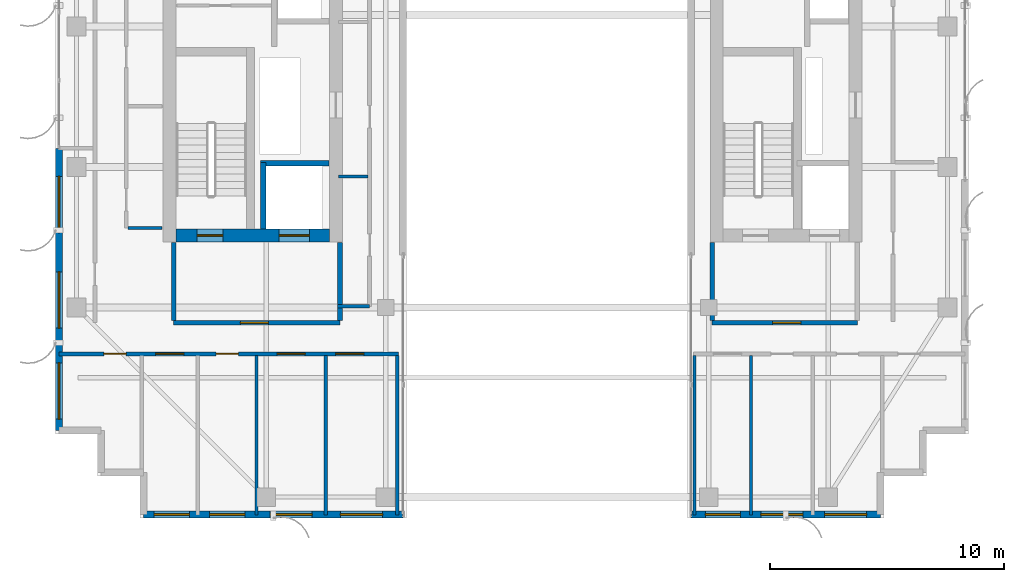
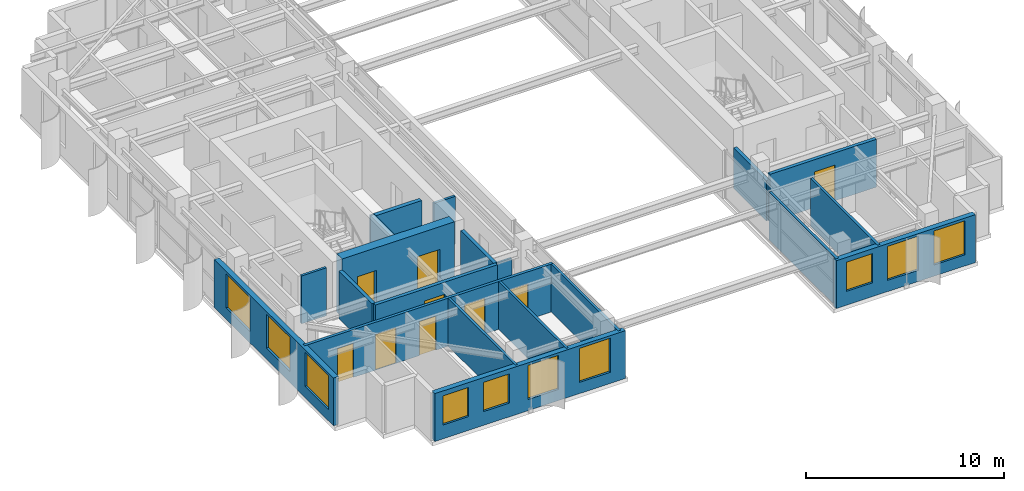
# One storey, part 19 of 25: 20 walls, 10 windows, 9 doors, 19 openings.
"""IFC4 building model written with IfcOpenShell, lengths in metres."""

from ifc_helpers import new_model, si_unit, direction, frame, frame_2d, origin, place, context, subcontext, project, spatial, rectangle, extrude, source, transform, mapped, material, layer, layer_set, type_object, element, fill, save


model = new_model("IFC4")

# Units and contexts
model_context = context("Model", 3, precision=1e-05, world=origin(), true_north=direction((0.0, 1.0)))
body_context = subcontext(model_context, "Body", "Model", "MODEL_VIEW")
ifc_project = project(units=[si_unit("LENGTHUNIT", "METRE"), si_unit("AREAUNIT", "SQUARE_METRE"), si_unit("VOLUMEUNIT", "CUBIC_METRE"), si_unit("PLANEANGLEUNIT", "RADIAN"), si_unit("MASSUNIT", "GRAM", prefix="KILO")], contexts=[model_context])

# Site, building, storey
site_placement = place(None, origin())
site = spatial("IfcSite", under=ifc_project, at=site_placement, CompositionType="ELEMENT")
building_placement = place(site_placement, origin())
building = spatial("IfcBuilding", under=site, at=building_placement, Name="Khoralis Quay Care Tower", CompositionType="ELEMENT")
storey_placement = place(building_placement, frame((0.0, 0.0, 263.699951171875)))
storey = spatial("IfcBuildingStorey", under=building, at=storey_placement, Name="L69", CompositionType="ELEMENT", Elevation=263.699951171875)

# Wall, opening, door
ifc_material_1 = material(Name="Gypsum plasterboard on acoustic metal stud")
ifc_layer_1 = layer(ifc_material_1, 0.199951171875)
ifc_layer_set_1 = layer_set([ifc_layer_1], Name="Gypsum plasterboard on acoustic metal stud")
wall_type_1 = type_object("IfcWallType", Name="WL-COMP-200", PredefinedType="PARTITIONING", material=ifc_layer_set_1)
wall_1_placement = place(storey_placement, frame((8.050048828125, 11.35009765625, 0.0), z_axis=(0.0, 0.0, 1.0), x_axis=(1.0, 0.0, 0.0)))
wall_1 = element("IfcWall", 1, at=wall_1_placement, inside=storey, type_object=wall_type_1, Name="L69 West Firefighting Lobby South Wall", PredefinedType="PARTITIONING", context=body_context, shape_type="SweptSolid", body=[
    extrude(rectangle(XDim=7.099853515625, YDim=0.199951171875, at=frame_2d((3.5498046875, 0.0))), origin(), (0.0, 0.0, 1.0), 2.949951171875),
])
opening_1_placement = place(wall_1_placement, frame((2.846435546875, 0.0, 0.0)))
opening_1 = element("IfcOpeningElement", 2, at=opening_1_placement, cuts=wall_1, Name="Opening FD1", PredefinedType="OPENING", context=body_context, shape_type="SweptSolid", body=[
    extrude(rectangle(XDim=1.199951171875, YDim=2.199951171875, at=frame_2d((0.60009765625, 1.10009765625))), frame((0.0, 0.10986328125, 0.0), z_axis=(0.0, -1.0, 0.0), x_axis=(1.0, 0.0, 0.0)), (0.0, 0.0, 1.0), 0.219970703125),
])
ifc_material_2 = material(Name="Fire-rated painted steel", Category="steel")
door_type_1 = type_object("IfcDoorType", Name="DR-FFL-1200X2200", OperationType="NOTDEFINED", PredefinedType="DOOR", material=ifc_material_2)
shared_shape_1 = source(origin(), body_context, "Body", "SweptSolid", [
    extrude(rectangle(XDim=1.199951171875, YDim=2.199951171875, at=frame_2d((0.60009765625, 1.10009765625))), frame((0.0, 0.02490234375, 0.0), z_axis=(0.0, -1.0, 0.0), x_axis=(1.0, 0.0, 0.0)), (0.0, 0.0, 1.0), 0.050048828125),
])
door_1_placement = place(opening_1_placement, origin())
door_1 = element("IfcDoor", 3, at=door_1_placement, inside=storey, type_object=door_type_1, Name="L69 West Firefighting Lobby Fire Door", OperationType="SINGLE_SWING_LEFT", OverallHeight=2.199951171875, OverallWidth=1.199951171875, PredefinedType="DOOR", context=body_context, shape_type="MappedRepresentation", body=[
    mapped(shared_shape_1, transform((0.0, 0.0, 0.0), scale=1.0)),
])
fill(opening_1, door_1)

# Walls
for number, where, z_axis, x_axis, name in (
    (4, (8.050048828125, 11.445068359375, 0.0), (0.0, 0.0, 1.0), (0.0, 1.0, 0.0), "L69 West Firefighting Lobby West Wall"),
    (5, (15.14990234375, 11.445068359375, 0.0), (0.0, 0.0, 1.0), (0.0, 1.0, 0.0), "L69 West Firefighting Lobby East Wall"),
):
    element("IfcWall", number, at=place(storey_placement, frame(where, z_axis=z_axis, x_axis=x_axis)), inside=storey, type_object=wall_type_1, Name=name, PredefinedType="PARTITIONING", context=body_context, shape_type="SweptSolid", body=[
        extrude(rectangle(XDim=3.3349609375, YDim=0.199951171875, at=frame_2d((1.66748046875, 0.0))), origin(), (0.0, 0.0, 1.0), 2.949951171875),
    ])

# Wall, opening, door
wall_2_placement = place(storey_placement, frame((31.050048828125, 11.35009765625, 0.0), z_axis=(0.0, 0.0, 1.0), x_axis=(1.0, 0.0, 0.0)))
wall_2 = element("IfcWall", 6, at=wall_2_placement, inside=storey, type_object=wall_type_1, Name="L69 East Firefighting Lobby South Wall", PredefinedType="PARTITIONING", context=body_context, shape_type="SweptSolid", body=[
    extrude(rectangle(XDim=6.199951171875, YDim=0.199951171875, at=frame_2d((3.10009765625, 0.0))), origin(), (0.0, 0.0, 1.0), 2.949951171875),
])
opening_2_placement = place(wall_2_placement, frame((2.585693359375, 0.0, 0.0)))
opening_2 = element("IfcOpeningElement", 7, at=opening_2_placement, cuts=wall_2, Name="Opening FD1", PredefinedType="OPENING", context=body_context, shape_type="SweptSolid", body=[
    extrude(rectangle(XDim=1.199951171875, YDim=2.199951171875, at=frame_2d((0.60009765625, 1.10009765625))), frame((0.0, 0.10986328125, 0.0), z_axis=(0.0, -1.0, 0.0), x_axis=(1.0, 0.0, 0.0)), (0.0, 0.0, 1.0), 0.219970703125),
])
door_2_placement = place(opening_2_placement, origin())
door_2 = element("IfcDoor", 8, at=door_2_placement, inside=storey, type_object=door_type_1, Name="L69 East Firefighting Lobby Fire Door", OperationType="SINGLE_SWING_RIGHT", OverallHeight=2.199951171875, OverallWidth=1.199951171875, PredefinedType="DOOR", context=body_context, shape_type="MappedRepresentation", body=[
    mapped(shared_shape_1, transform((0.0, 0.0, 0.0), scale=1.0)),
])
fill(opening_2, door_2)

# Wall
wall_3_placement = place(storey_placement, frame((31.050048828125, 11.445068359375, 0.0), z_axis=(0.0, 0.0, 1.0), x_axis=(0.0, 1.0, 0.0)))
element("IfcWall", 9, at=wall_3_placement, inside=storey, type_object=wall_type_1, Name="L69 East Firefighting Lobby West Wall", PredefinedType="PARTITIONING", context=body_context, shape_type="SweptSolid", body=[
    extrude(rectangle(XDim=3.3349609375, YDim=0.199951171875, at=frame_2d((1.66748046875, 0.0))), origin(), (0.0, 0.0, 1.0), 2.487060546875),
])

# Wall, openings, doors
ifc_material_3 = material(Name="Concrete C65/80", Category="concrete")
ifc_layer_2 = layer(ifc_material_3, 0.550048828125)
ifc_layer_set_2 = layer_set([ifc_layer_2], Name="Concrete C65/80")
wall_type_2 = type_object("IfcWallType", Name="WL-CORE-550", PredefinedType="SHEAR", material=ifc_layer_set_2)
wall_4_placement = place(storey_placement, frame((8.14990234375, 15.074951171875, 0.0), z_axis=(0.0, 0.0, 1.0), x_axis=(1.0, 0.0, 0.0)))
wall_4 = element("IfcWall", 10, at=wall_4_placement, inside=storey, type_object=wall_type_2, Name="L69 WCORE South Shear Wall", PredefinedType="SHEAR", context=body_context, shape_type="SweptSolid", body=[
    extrude(rectangle(XDim=6.550048828125, YDim=0.550048828125, at=frame_2d((3.27490234375, 0.0))), origin(), (0.0, 0.0, 1.0), 3.60009765625),
])
opening_3_placement = place(wall_4_placement, frame((0.89990234375, 0.0, 0.0)))
opening_3 = element("IfcOpeningElement", 11, at=opening_3_placement, cuts=wall_4, Name="Opening SD1", PredefinedType="OPENING", context=body_context, shape_type="SweptSolid", body=[
    extrude(rectangle(XDim=1.10009765625, YDim=2.199951171875, at=frame_2d((0.550048828125, 1.10009765625))), frame((0.0, 0.28515625, 0.0), z_axis=(0.0, -1.0, 0.0), x_axis=(1.0, 0.0, 0.0)), (0.0, 0.0, 1.0), 0.570068359375),
])
opening_4_placement = place(wall_4_placement, frame((4.39990234375, 0.0, 0.0)))
opening_4 = element("IfcOpeningElement", 12, at=opening_4_placement, cuts=wall_4, Name="Opening LD2", PredefinedType="OPENING", context=body_context, shape_type="SweptSolid", body=[
    extrude(rectangle(XDim=1.300048828125, YDim=2.199951171875, at=frame_2d((0.64990234375, 1.10009765625))), frame((0.0, 0.28515625, 0.0), z_axis=(0.0, -1.0, 0.0), x_axis=(1.0, 0.0, 0.0)), (0.0, 0.0, 1.0), 0.570068359375),
])
door_type_2 = type_object("IfcDoorType", Name="DR-STAIR-1100X2200", OperationType="NOTDEFINED", PredefinedType="DOOR", material=ifc_material_2)
shared_shape_2 = source(origin(), body_context, "Body", "SweptSolid", [
    extrude(rectangle(XDim=1.10009765625, YDim=2.199951171875, at=frame_2d((0.550048828125, 1.10009765625))), frame((0.0, 0.02490234375, 0.0), z_axis=(0.0, -1.0, 0.0), x_axis=(1.0, 0.0, 0.0)), (0.0, 0.0, 1.0), 0.050048828125),
])
door_3_placement = place(opening_3_placement, origin())
door_3 = element("IfcDoor", 13, at=door_3_placement, inside=storey, type_object=door_type_2, Name="L69 Stair ST-T1 Fire Door", OperationType="SINGLE_SWING_LEFT", OverallHeight=2.199951171875, OverallWidth=1.10009765625, PredefinedType="DOOR", context=body_context, shape_type="MappedRepresentation", body=[
    mapped(shared_shape_2, transform((0.0, 0.0, 0.0), scale=1.0)),
])
fill(opening_3, door_3)
ifc_material_4 = material(Name="Brushed stainless steel", Category="steel")
door_type_3 = type_object("IfcDoorType", Name="DR-LIFT-1300X2200", OperationType="SLIDING_TO_RIGHT", PredefinedType="DOOR", material=ifc_material_4)
shared_shape_3 = source(origin(), body_context, "Body", "SweptSolid", [
    extrude(rectangle(XDim=1.300048828125, YDim=2.199951171875, at=frame_2d((0.64990234375, 1.10009765625))), frame((0.0, 0.02490234375, 0.0), z_axis=(0.0, -1.0, 0.0), x_axis=(1.0, 0.0, 0.0)), (0.0, 0.0, 1.0), 0.050048828125),
])
door_4_placement = place(opening_4_placement, origin())
door_4 = element("IfcDoor", 14, at=door_4_placement, inside=storey, type_object=door_type_3, Name="L69 Firefighting Lift FFL-1 Landing Door", OperationType="SLIDING_TO_RIGHT", OverallHeight=2.199951171875, OverallWidth=1.300048828125, PredefinedType="DOOR", context=body_context, shape_type="MappedRepresentation", body=[
    mapped(shared_shape_3, transform((0.0, 0.0, 0.0), scale=1.0)),
])
fill(opening_4, door_4)

ifc_layer_3 = layer(ifc_material_1, 0.1650390625)
ifc_layer_set_3 = layer_set([ifc_layer_3], Name="Gypsum plasterboard on acoustic metal stud")
wall_type_3 = type_object("IfcWallType", Name="WL-CORR-165", PredefinedType="PARTITIONING", material=ifc_layer_set_3)
wall_5_placement = place(storey_placement, frame((3.14501953125, 10.02001953125, 0.0), z_axis=(0.0, 0.0, 1.0), x_axis=(1.0, 0.0, 0.0)))
wall_5 = element("IfcWall", 15, at=wall_5_placement, inside=storey, type_object=wall_type_3, Name="L69 West Wing South Corridor Wall", PredefinedType="PARTITIONING", context=body_context, shape_type="SweptSolid", body=[
    extrude(rectangle(XDim=14.5048828125, YDim=0.1650390625, at=frame_2d((7.25244140625, 0.0))), origin(), (0.0, 0.0, 1.0), 2.949951171875),
])
opening_5_placement = place(wall_5_placement, frame((4.135009765625, 0.0, 0.0)))
opening_5 = element("IfcOpeningElement", 16, at=opening_5_placement, cuts=wall_5, Name="Opening FD1", PredefinedType="OPENING", context=body_context, shape_type="SweptSolid", body=[
    extrude(rectangle(XDim=1.199951171875, YDim=2.199951171875, at=frame_2d((0.60009765625, 1.10009765625))), frame((0.0, 0.092529296875, 0.0), z_axis=(0.0, -1.0, 0.0), x_axis=(1.0, 0.0, 0.0)), (0.0, 0.0, 1.0), 0.18505859375),
])
opening_6_placement = place(wall_5_placement, frame((6.715087890625, 0.0, 0.0)))
opening_6 = element("IfcOpeningElement", 17, at=opening_6_placement, cuts=wall_5, Name="Opening ID1", PredefinedType="OPENING", context=body_context, shape_type="SweptSolid", body=[
    extrude(rectangle(XDim=0.949951171875, YDim=2.10009765625, at=frame_2d((0.47509765625, 1.050048828125))), frame((0.0, 0.092529296875, 0.0), z_axis=(0.0, -1.0, 0.0), x_axis=(1.0, 0.0, 0.0)), (0.0, 0.0, 1.0), 0.18505859375),
])
opening_7_placement = place(wall_5_placement, frame((9.320068359375, 0.0, 0.0)))
opening_7 = element("IfcOpeningElement", 18, at=opening_7_placement, cuts=wall_5, Name="Opening FD1", PredefinedType="OPENING", context=body_context, shape_type="SweptSolid", body=[
    extrude(rectangle(XDim=1.199951171875, YDim=2.199951171875, at=frame_2d((0.60009765625, 1.10009765625))), frame((0.0, 0.092529296875, 0.0), z_axis=(0.0, -1.0, 0.0), x_axis=(1.0, 0.0, 0.0)), (0.0, 0.0, 1.0), 0.18505859375),
])
opening_8_placement = place(wall_5_placement, frame((11.824951171875, 0.0, 0.0)))
opening_8 = element("IfcOpeningElement", 19, at=opening_8_placement, cuts=wall_5, Name="Opening FD1", PredefinedType="OPENING", context=body_context, shape_type="SweptSolid", body=[
    extrude(rectangle(XDim=1.199951171875, YDim=2.199951171875, at=frame_2d((0.60009765625, 1.10009765625))), frame((0.0, 0.092529296875, 0.0), z_axis=(0.0, -1.0, 0.0), x_axis=(1.0, 0.0, 0.0)), (0.0, 0.0, 1.0), 0.18505859375),
])
opening_9_placement = place(wall_5_placement, frame((1.919921875, 0.0, 0.0)))
opening_9 = element("IfcOpeningElement", 20, at=opening_9_placement, cuts=wall_5, Name="Opening ID1", PredefinedType="OPENING", context=body_context, shape_type="SweptSolid", body=[
    extrude(rectangle(XDim=0.949951171875, YDim=2.10009765625, at=frame_2d((0.47509765625, 1.050048828125))), frame((0.0, 0.092529296875, 0.0), z_axis=(0.0, -1.0, 0.0), x_axis=(1.0, 0.0, 0.0)), (0.0, 0.0, 1.0), 0.18505859375),
])
door_5_placement = place(opening_5_placement, frame((1.199951171875, 0.0, 0.0), z_axis=(0.0, 0.0, 1.0), x_axis=(-1.0, 0.0, 0.0)))
door_5 = element("IfcDoor", 21, at=door_5_placement, inside=storey, type_object=door_type_1, Name="L69 Senior Wellness Pharmacy Shop Door", OperationType="DOUBLE_DOOR_SINGLE_SWING", OverallHeight=2.199951171875, OverallWidth=1.199951171875, PredefinedType="DOOR", context=body_context, shape_type="MappedRepresentation", body=[
    mapped(shared_shape_1, transform((0.0, 0.0, 0.0), scale=1.0)),
])
fill(opening_5, door_5)
door_6_placement = place(opening_7_placement, frame((1.199951171875, 0.0, 0.0), z_axis=(0.0, 0.0, 1.0), x_axis=(-1.0, 0.0, 0.0)))
door_6 = element("IfcDoor", 22, at=door_6_placement, inside=storey, type_object=door_type_1, Name="L69 Assisted Communal Dining Room Door", OperationType="DOUBLE_DOOR_SINGLE_SWING", OverallHeight=2.199951171875, OverallWidth=1.199951171875, PredefinedType="DOOR", context=body_context, shape_type="MappedRepresentation", body=[
    mapped(shared_shape_1, transform((0.0, 0.0, 0.0), scale=1.0)),
])
fill(opening_7, door_6)
door_7_placement = place(opening_8_placement, frame((1.199951171875, 0.0, 0.0), z_axis=(0.0, 0.0, 1.0), x_axis=(-1.0, 0.0, 0.0)))
door_7 = element("IfcDoor", 23, at=door_7_placement, inside=storey, type_object=door_type_1, Name="L69 Resident Communal Day Lounge Door", OperationType="DOUBLE_DOOR_SINGLE_SWING", OverallHeight=2.199951171875, OverallWidth=1.199951171875, PredefinedType="DOOR", context=body_context, shape_type="MappedRepresentation", body=[
    mapped(shared_shape_1, transform((0.0, 0.0, 0.0), scale=1.0)),
])
fill(opening_8, door_7)
ifc_material_5 = material(Name="Acoustic hardwood timber", Category="wood")
door_type_4 = type_object("IfcDoorType", Name="DR-ROOM-950X2100", OperationType="NOTDEFINED", PredefinedType="DOOR", material=ifc_material_5)
shared_shape_4 = source(origin(), body_context, "Body", "SweptSolid", [
    extrude(rectangle(XDim=0.949951171875, YDim=2.10009765625, at=frame_2d((0.47509765625, 1.050048828125))), frame((0.0, 0.02490234375, 0.0), z_axis=(0.0, -1.0, 0.0), x_axis=(1.0, 0.0, 0.0)), (0.0, 0.0, 1.0), 0.050048828125),
])
door_8_placement = place(opening_6_placement, frame((0.949951171875, 0.0, 0.0), z_axis=(0.0, 0.0, 1.0), x_axis=(-1.0, 0.0, 0.0)))
door_8 = element("IfcDoor", 24, at=door_8_placement, inside=storey, type_object=door_type_4, Name="L69 Family Case Conference Room Door", OperationType="SINGLE_SWING_RIGHT", OverallHeight=2.10009765625, OverallWidth=0.949951171875, PredefinedType="DOOR", context=body_context, shape_type="MappedRepresentation", body=[
    mapped(shared_shape_4, transform((0.0, 0.0, 0.0), scale=1.0)),
])
fill(opening_6, door_8)
door_9_placement = place(opening_9_placement, frame((0.949951171875, 0.0, 0.0), z_axis=(0.0, 0.0, 1.0), x_axis=(-1.0, 0.0, 0.0)))
door_9 = element("IfcDoor", 25, at=door_9_placement, inside=storey, type_object=door_type_4, Name="L69 SW Corner Door", OperationType="SINGLE_SWING_LEFT", OverallHeight=2.10009765625, OverallWidth=0.949951171875, PredefinedType="DOOR", context=body_context, shape_type="MappedRepresentation", body=[
    mapped(shared_shape_4, transform((0.0, 0.0, 0.0), scale=1.0)),
])
fill(opening_9, door_9)

# Wall, openings, windows
ifc_material_6 = material(Name="Precast concrete C45/55", Category="concrete")
ifc_layer_4 = layer(ifc_material_6, 0.300048828125)
ifc_layer_set_4 = layer_set([ifc_layer_4], Name="Precast concrete C45/55")
wall_type_4 = type_object("IfcWallType", Name="WL-EXT-REF-300", PredefinedType="SOLIDWALL", material=ifc_layer_set_4)
wall_6_placement = place(storey_placement, frame((6.75, 3.14990234375, 0.0), z_axis=(0.0, 0.0, 1.0), x_axis=(1.0, 0.0, 0.0)))
wall_6 = element("IfcWall", 26, at=wall_6_placement, inside=storey, type_object=wall_type_4, Name="L69 External Facade Wall WL-EXT-L69-P1-E0", PredefinedType="SOLIDWALL", context=body_context, shape_type="SweptSolid", body=[
    extrude(rectangle(XDim=11.10009765625, YDim=0.300048828125, at=frame_2d((5.550048828125, 0.0))), origin(), (0.0, 0.0, 1.0), 2.949951171875),
])
opening_10_placement = place(wall_6_placement, frame((0.465087890625, 0.0, 0.85009765625)))
opening_10 = element("IfcOpeningElement", 27, at=opening_10_placement, cuts=wall_6, Name="Opening W3", PredefinedType="OPENING", context=body_context, shape_type="SweptSolid", body=[
    extrude(rectangle(XDim=1.5, YDim=1.800048828125, at=frame_2d((0.75, 0.89990234375))), frame((0.0, 0.16015625, 0.0), z_axis=(0.0, -1.0, 0.0), x_axis=(1.0, 0.0, 0.0)), (0.0, 0.0, 1.0), 0.320068359375),
])
opening_11_placement = place(wall_6_placement, frame((2.8349609375, 0.0, 0.85009765625)))
opening_11 = element("IfcOpeningElement", 28, at=opening_11_placement, cuts=wall_6, Name="Opening W3", PredefinedType="OPENING", context=body_context, shape_type="SweptSolid", body=[
    extrude(rectangle(XDim=1.5, YDim=1.800048828125, at=frame_2d((0.75, 0.89990234375))), frame((0.0, 0.16015625, 0.0), z_axis=(0.0, -1.0, 0.0), x_axis=(1.0, 0.0, 0.0)), (0.0, 0.0, 1.0), 0.320068359375),
])
opening_12_placement = place(wall_6_placement, frame((5.4150390625, 0.0, 0.68994140625)))
opening_12 = element("IfcOpeningElement", 29, at=opening_12_placement, cuts=wall_6, Name="Opening W2", PredefinedType="OPENING", context=body_context, shape_type="SweptSolid", body=[
    extrude(rectangle(XDim=1.800048828125, YDim=2.10009765625, at=frame_2d((0.89990234375, 1.050048828125))), frame((0.0, 0.16015625, 0.0), z_axis=(0.0, -1.0, 0.0), x_axis=(1.0, 0.0, 0.0)), (0.0, 0.0, 1.0), 0.320068359375),
])
opening_13_placement = place(wall_6_placement, frame((8.419921875, 0.0, 0.68994140625)))
opening_13 = element("IfcOpeningElement", 30, at=opening_13_placement, cuts=wall_6, Name="Opening W2", PredefinedType="OPENING", context=body_context, shape_type="SweptSolid", body=[
    extrude(rectangle(XDim=1.800048828125, YDim=2.10009765625, at=frame_2d((0.89990234375, 1.050048828125))), frame((0.0, 0.16015625, 0.0), z_axis=(0.0, -1.0, 0.0), x_axis=(1.0, 0.0, 0.0)), (0.0, 0.0, 1.0), 0.320068359375),
])
ifc_material_7 = material(Name="Low-E solar-control double glazing", Category="glass")
window_type_1 = type_object("IfcWindowType", Name="WN-CLIN-1500X1800", PartitioningType="SINGLE_PANEL", PredefinedType="WINDOW", material=ifc_material_7)
shared_shape_5 = source(origin(), body_context, "Body", "SweptSolid", [
    extrude(rectangle(XDim=1.5, YDim=1.800048828125, at=frame_2d((0.75, 0.89990234375))), frame((0.0, 0.030029296875, 0.0), z_axis=(0.0, -1.0, 0.0), x_axis=(1.0, 0.0, 0.0)), (0.0, 0.0, 1.0), 0.06005859375),
])
window_1_placement = place(opening_10_placement, origin())
window_1 = element("IfcWindow", 31, at=window_1_placement, inside=storey, type_object=window_type_1, Name="WN-L69-P1-E0 Facade Window 01", OverallHeight=1.800048828125, OverallWidth=1.5, PartitioningType="SINGLE_PANEL", PredefinedType="WINDOW", context=body_context, shape_type="MappedRepresentation", body=[
    mapped(shared_shape_5, transform((0.0, 0.0, 0.0), scale=1.0)),
])
fill(opening_10, window_1)
window_2_placement = place(opening_11_placement, origin())
window_2 = element("IfcWindow", 32, at=window_2_placement, inside=storey, type_object=window_type_1, Name="WN-L69-P1-E0 Facade Window 02", OverallHeight=1.800048828125, OverallWidth=1.5, PartitioningType="SINGLE_PANEL", PredefinedType="WINDOW", context=body_context, shape_type="MappedRepresentation", body=[
    mapped(shared_shape_5, transform((0.0, 0.0, 0.0), scale=1.0)),
])
fill(opening_11, window_2)
window_type_2 = type_object("IfcWindowType", Name="WN-POD-1800X2100", PartitioningType="SINGLE_PANEL", PredefinedType="WINDOW", material=ifc_material_7)
shared_shape_6 = source(origin(), body_context, "Body", "SweptSolid", [
    extrude(rectangle(XDim=1.800048828125, YDim=2.10009765625, at=frame_2d((0.89990234375, 1.050048828125))), frame((0.0, 0.030029296875, 0.0), z_axis=(0.0, -1.0, 0.0), x_axis=(1.0, 0.0, 0.0)), (0.0, 0.0, 1.0), 0.06005859375),
])
window_3_placement = place(opening_12_placement, origin())
window_3 = element("IfcWindow", 33, at=window_3_placement, inside=storey, type_object=window_type_2, Name="WN-L69-P1-E0 Facade Window 03", OverallHeight=2.10009765625, OverallWidth=1.800048828125, PartitioningType="SINGLE_PANEL", PredefinedType="WINDOW", context=body_context, shape_type="MappedRepresentation", body=[
    mapped(shared_shape_6, transform((0.0, 0.0, 0.0), scale=1.0)),
])
fill(opening_12, window_3)
window_4_placement = place(opening_13_placement, origin())
window_4 = element("IfcWindow", 34, at=window_4_placement, inside=storey, type_object=window_type_2, Name="WN-L69-P1-E0 Facade Window 04", OverallHeight=2.10009765625, OverallWidth=1.800048828125, PartitioningType="SINGLE_PANEL", PredefinedType="WINDOW", context=body_context, shape_type="MappedRepresentation", body=[
    mapped(shared_shape_6, transform((0.0, 0.0, 0.0), scale=1.0)),
])
fill(opening_13, window_4)

wall_7_placement = place(storey_placement, frame((3.14990234375, 18.800048828125, 0.0), z_axis=(0.0, 0.0, 1.0), x_axis=(0.0, -1.0, 0.0)))
wall_7 = element("IfcWall", 35, at=wall_7_placement, inside=storey, type_object=wall_type_4, Name="L69 External Facade Wall WL-EXT-L69-P1-E7B", PredefinedType="SOLIDWALL", context=body_context, shape_type="SweptSolid", body=[
    extrude(rectangle(XDim=12.050048828125, YDim=0.300048828125, at=frame_2d((6.02490234375, 0.0))), origin(), (0.0, 0.0, 1.0), 2.949951171875),
])
opening_14_placement = place(wall_7_placement, frame((1.199951171875, 0.0, 0.68994140625)))
opening_14 = element("IfcOpeningElement", 36, at=opening_14_placement, cuts=wall_7, Name="Opening W1", PredefinedType="OPENING", context=body_context, shape_type="SweptSolid", body=[
    extrude(rectangle(XDim=2.39990234375, YDim=2.10009765625, at=frame_2d((1.199951171875, 1.050048828125))), frame((0.0, 0.16015625, 0.0), z_axis=(0.0, -1.0, 0.0), x_axis=(1.0, 0.0, 0.0)), (0.0, 0.0, 1.0), 0.320068359375),
])
opening_15_placement = place(wall_7_placement, frame((5.280029296875, 0.0, 0.68994140625)))
opening_15 = element("IfcOpeningElement", 37, at=opening_15_placement, cuts=wall_7, Name="Opening W1", PredefinedType="OPENING", context=body_context, shape_type="SweptSolid", body=[
    extrude(rectangle(XDim=2.39990234375, YDim=2.10009765625, at=frame_2d((1.199951171875, 1.050048828125))), frame((0.0, 0.16015625, 0.0), z_axis=(0.0, -1.0, 0.0), x_axis=(1.0, 0.0, 0.0)), (0.0, 0.0, 1.0), 0.320068359375),
])
opening_16_placement = place(wall_7_placement, frame((9.1650390625, 0.0, 0.68994140625)))
opening_16 = element("IfcOpeningElement", 38, at=opening_16_placement, cuts=wall_7, Name="Opening W1", PredefinedType="OPENING", context=body_context, shape_type="SweptSolid", body=[
    extrude(rectangle(XDim=2.39990234375, YDim=2.10009765625, at=frame_2d((1.199951171875, 1.050048828125))), frame((0.0, 0.16015625, 0.0), z_axis=(0.0, -1.0, 0.0), x_axis=(1.0, 0.0, 0.0)), (0.0, 0.0, 1.0), 0.320068359375),
])
window_type_3 = type_object("IfcWindowType", Name="WN-POD-2400X2100", PartitioningType="SINGLE_PANEL", PredefinedType="WINDOW", material=ifc_material_7)
shared_shape_7 = source(origin(), body_context, "Body", "SweptSolid", [
    extrude(rectangle(XDim=2.39990234375, YDim=2.10009765625, at=frame_2d((1.199951171875, 1.050048828125))), frame((0.0, 0.030029296875, 0.0), z_axis=(0.0, -1.0, 0.0), x_axis=(1.0, 0.0, 0.0)), (0.0, 0.0, 1.0), 0.06005859375),
])
window_5_placement = place(opening_14_placement, origin())
window_5 = element("IfcWindow", 39, at=window_5_placement, inside=storey, type_object=window_type_3, Name="WN-L69-P1-E7B Facade Window 01", OverallHeight=2.10009765625, OverallWidth=2.39990234375, PartitioningType="SINGLE_PANEL", PredefinedType="WINDOW", context=body_context, shape_type="MappedRepresentation", body=[
    mapped(shared_shape_7, transform((0.0, 0.0, 0.0), scale=1.0)),
])
fill(opening_14, window_5)
window_6_placement = place(opening_15_placement, origin())
window_6 = element("IfcWindow", 40, at=window_6_placement, inside=storey, type_object=window_type_3, Name="WN-L69-P1-E7B Facade Window 02", OverallHeight=2.10009765625, OverallWidth=2.39990234375, PartitioningType="SINGLE_PANEL", PredefinedType="WINDOW", context=body_context, shape_type="MappedRepresentation", body=[
    mapped(shared_shape_7, transform((0.0, 0.0, 0.0), scale=1.0)),
])
fill(opening_15, window_6)
window_7_placement = place(opening_16_placement, origin())
window_7 = element("IfcWindow", 41, at=window_7_placement, inside=storey, type_object=window_type_3, Name="WN-L69-P1-E7B Facade Window 03", OverallHeight=2.10009765625, OverallWidth=2.39990234375, PartitioningType="SINGLE_PANEL", PredefinedType="WINDOW", context=body_context, shape_type="MappedRepresentation", body=[
    mapped(shared_shape_7, transform((0.0, 0.0, 0.0), scale=1.0)),
])
fill(opening_16, window_7)

wall_8_placement = place(storey_placement, frame((30.14990234375, 3.14990234375, 0.0), z_axis=(0.0, 0.0, 1.0), x_axis=(1.0, 0.0, 0.0)))
wall_8 = element("IfcWall", 42, at=wall_8_placement, inside=storey, type_object=wall_type_4, Name="L69 External Facade Wall WL-EXT-L69-P2-E0", PredefinedType="SOLIDWALL", context=body_context, shape_type="SweptSolid", body=[
    extrude(rectangle(XDim=8.10009765625, YDim=0.300048828125, at=frame_2d((4.050048828125, 0.0))), origin(), (0.0, 0.0, 1.0), 2.949951171875),
])
opening_17_placement = place(wall_8_placement, frame((0.60498046875, 0.0, 0.85009765625)))
opening_17 = element("IfcOpeningElement", 43, at=opening_17_placement, cuts=wall_8, Name="Opening W3", PredefinedType="OPENING", context=body_context, shape_type="SweptSolid", body=[
    extrude(rectangle(XDim=1.5, YDim=1.800048828125, at=frame_2d((0.75, 0.89990234375))), frame((0.0, 0.16015625, 0.0), z_axis=(0.0, -1.0, 0.0), x_axis=(1.0, 0.0, 0.0)), (0.0, 0.0, 1.0), 0.320068359375),
])
opening_18_placement = place(wall_8_placement, frame((2.97998046875, 0.0, 0.68994140625)))
opening_18 = element("IfcOpeningElement", 44, at=opening_18_placement, cuts=wall_8, Name="Opening W2", PredefinedType="OPENING", context=body_context, shape_type="SweptSolid", body=[
    extrude(rectangle(XDim=1.800048828125, YDim=2.10009765625, at=frame_2d((0.89990234375, 1.050048828125))), frame((0.0, 0.16015625, 0.0), z_axis=(0.0, -1.0, 0.0), x_axis=(1.0, 0.0, 0.0)), (0.0, 0.0, 1.0), 0.320068359375),
])
opening_19_placement = place(wall_8_placement, frame((5.699951171875, 0.0, 0.68994140625)))
opening_19 = element("IfcOpeningElement", 45, at=opening_19_placement, cuts=wall_8, Name="Opening W2", PredefinedType="OPENING", context=body_context, shape_type="SweptSolid", body=[
    extrude(rectangle(XDim=1.800048828125, YDim=2.10009765625, at=frame_2d((0.89990234375, 1.050048828125))), frame((0.0, 0.16015625, 0.0), z_axis=(0.0, -1.0, 0.0), x_axis=(1.0, 0.0, 0.0)), (0.0, 0.0, 1.0), 0.320068359375),
])
window_8_placement = place(opening_17_placement, origin())
window_8 = element("IfcWindow", 46, at=window_8_placement, inside=storey, type_object=window_type_1, Name="WN-L69-P2-E0 Facade Window 01", OverallHeight=1.800048828125, OverallWidth=1.5, PartitioningType="SINGLE_PANEL", PredefinedType="WINDOW", context=body_context, shape_type="MappedRepresentation", body=[
    mapped(shared_shape_5, transform((0.0, 0.0, 0.0), scale=1.0)),
])
fill(opening_17, window_8)
window_9_placement = place(opening_18_placement, origin())
window_9 = element("IfcWindow", 47, at=window_9_placement, inside=storey, type_object=window_type_2, Name="WN-L69-P2-E0 Facade Window 02", OverallHeight=2.10009765625, OverallWidth=1.800048828125, PartitioningType="SINGLE_PANEL", PredefinedType="WINDOW", context=body_context, shape_type="MappedRepresentation", body=[
    mapped(shared_shape_6, transform((0.0, 0.0, 0.0), scale=1.0)),
])
fill(opening_18, window_9)
window_10_placement = place(opening_19_placement, origin())
window_10 = element("IfcWindow", 48, at=window_10_placement, inside=storey, type_object=window_type_2, Name="WN-L69-P2-E0 Facade Window 03", OverallHeight=2.10009765625, OverallWidth=1.800048828125, PartitioningType="SINGLE_PANEL", PredefinedType="WINDOW", context=body_context, shape_type="MappedRepresentation", body=[
    mapped(shared_shape_6, transform((0.0, 0.0, 0.0), scale=1.0)),
])
fill(opening_19, window_10)

# Walls
ifc_layer_5 = layer(ifc_material_1, 0.239990234375)
ifc_layer_set_5 = layer_set([ifc_layer_5], Name="Gypsum plasterboard on acoustic metal stud")
wall_type_5 = type_object("IfcWallType", Name="WL-SHAFT-240", PredefinedType="PARTITIONING", material=ifc_layer_set_5)
wall_9_placement = place(storey_placement, frame((11.8798828125, 15.35009765625, 0.0), z_axis=(0.0, 0.0, 1.0), x_axis=(0.0, 1.0, 0.0)))
element("IfcWall", 49, at=wall_9_placement, inside=storey, type_object=wall_type_5, Name="L69 FFL-1 Shaft Wall West", PredefinedType="PARTITIONING", context=body_context, shape_type="SweptSolid", body=[
    extrude(rectangle(XDim=2.849853515625, YDim=0.239990234375, at=frame_2d((1.4248046875, 0.0))), origin(), (0.0, 0.0, 1.0), 2.949951171875),
])
wall_10_placement = place(storey_placement, frame((11.760009765625, 18.169921875, 0.0), z_axis=(0.0, 0.0, 1.0), x_axis=(1.0, 0.0, 0.0)))
element("IfcWall", 50, at=wall_10_placement, inside=storey, type_object=wall_type_5, Name="L69 FFL-1 Shaft Wall North", PredefinedType="PARTITIONING", context=body_context, shape_type="SweptSolid", body=[
    extrude(rectangle(XDim=2.919921875, YDim=0.239990234375, at=frame_2d((1.4599609375, 0.0))), origin(), (0.0, 0.0, 1.0), 2.949951171875),
])
ifc_layer_6 = layer(ifc_material_1, 0.139892578125)
ifc_layer_set_6 = layer_set([ifc_layer_6], Name="Gypsum plasterboard on acoustic metal stud")
wall_type_6 = type_object("IfcWallType", Name="WL-UNIT-140", PredefinedType="PARTITIONING", material=ifc_layer_set_6)
wall_11_placement = place(storey_placement, frame((6.097412109375, 15.39990234375, 0.0), z_axis=(0.0, 0.0, 1.0), x_axis=(1.0, 0.0, 0.0)))
element("IfcWall", 51, at=wall_11_placement, inside=storey, type_object=wall_type_6, Name="L69 West Flank South Cap", PredefinedType="PARTITIONING", context=body_context, shape_type="SweptSolid", body=[
    extrude(rectangle(XDim=1.462646484375, YDim=0.139892578125, at=frame_2d((0.7314453125, 0.0))), origin(), (0.0, 0.0, 1.0), 2.949951171875),
])
wall_12_placement = place(storey_placement, frame((15.080078125, 17.60009765625, 0.0), z_axis=(0.0, 0.0, 1.0), x_axis=(1.0, 0.0, 0.0)))
element("IfcWall", 52, at=wall_12_placement, inside=storey, type_object=wall_type_6, Name="L69 Portal Divider 1", PredefinedType="PARTITIONING", context=body_context, shape_type="SweptSolid", body=[
    extrude(rectangle(XDim=1.262451171875, YDim=0.139892578125, at=frame_2d((0.63134765625, 0.0))), origin(), (0.0, 0.0, 1.0), 2.949951171875),
])
for number, where, z_axis, x_axis, name in (
    (53, (11.590087890625, 3.14501953125, 0.0), (0.0, 0.0, 1.0), (0.0, 1.0, 0.0), "L69 WS Demising Wall 2"),
    (54, (14.5400390625, 3.14501953125, 0.0), (0.0, 0.0, 1.0), (0.0, 1.0, 0.0), "L69 WS Demising Wall 3"),
    (55, (17.60009765625, 3.14501953125, 0.0), (0.0, 0.0, 1.0), (0.0, 1.0, 0.0), "L69 WS Demising Wall 4"),
    (56, (30.300048828125, 3.14501953125, 0.0), (0.0, 0.0, 1.0), (0.0, 1.0, 0.0), "L69 ES Demising Wall 0"),
    (57, (32.7099609375, 3.14501953125, 0.0), (0.0, 0.0, 1.0), (0.0, 1.0, 0.0), "L69 ES Demising Wall 1"),
):
    element("IfcWall", number, at=place(storey_placement, frame(where, z_axis=z_axis, x_axis=x_axis)), inside=storey, type_object=wall_type_6, Name=name, PredefinedType="PARTITIONING", context=body_context, shape_type="SweptSolid", body=[
        extrude(rectangle(XDim=6.79736328125, YDim=0.139892578125, at=frame_2d((3.398681640625, 0.0))), origin(), (0.0, 0.0, 1.0), 2.949951171875),
    ])
wall_13_placement = place(storey_placement, frame((15.050048828125, 12.050048828125, 0.0), z_axis=(0.0, 0.0, 1.0), x_axis=(1.0, 0.0, 0.0)))
element("IfcWall", 58, at=wall_13_placement, inside=storey, type_object=wall_type_6, Name="L69 Portal Alcove South Wall", PredefinedType="PARTITIONING", context=body_context, shape_type="SweptSolid", body=[
    extrude(rectangle(XDim=1.369873046875, YDim=0.139892578125, at=frame_2d((0.68505859375, 0.0))), origin(), (0.0, 0.0, 1.0), 2.449951171875),
])

save(model, "model.ifc")
